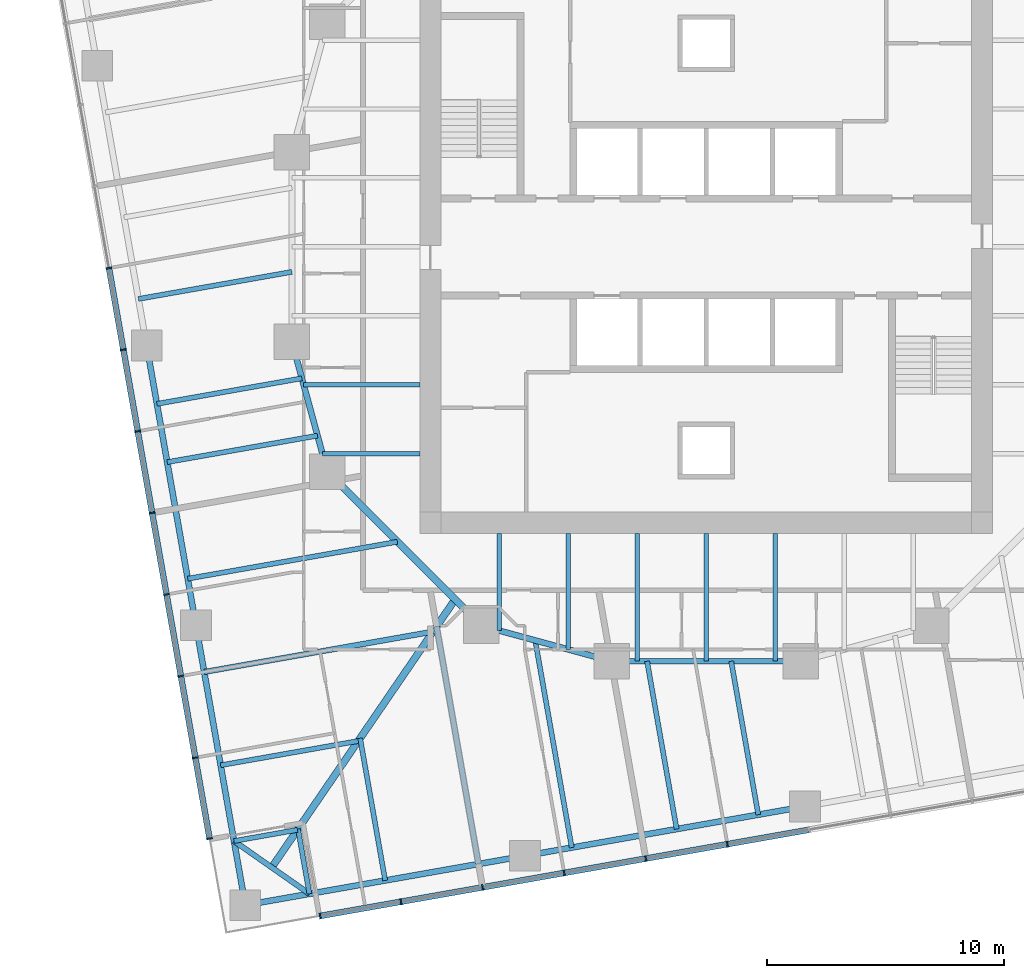
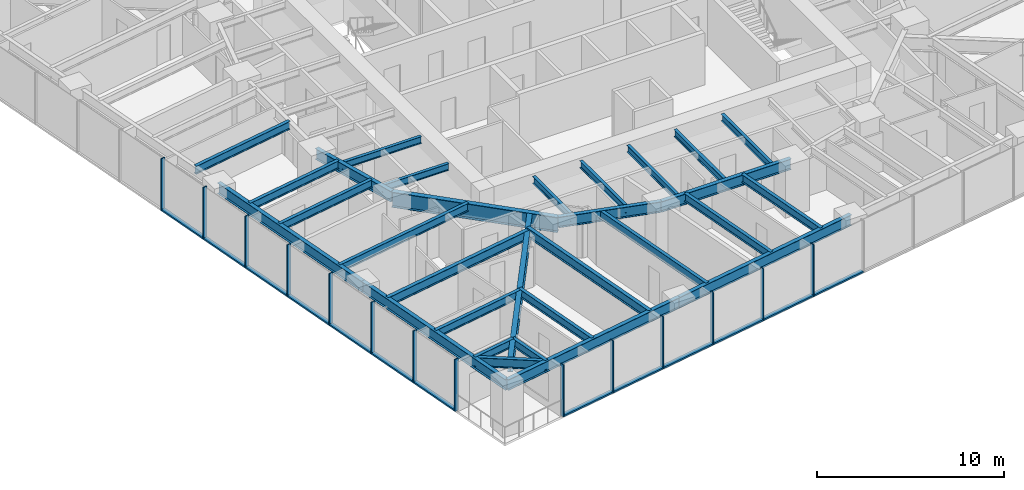
# One storey, part 2 of 14: 30 beams, 27 members, 2 elements without a shape of their own.
"""IFC4 building model written with IfcOpenShell, lengths in metres."""

from ifc_helpers import new_model, si_unit, direction, frame, origin, origin_2d, place, context, subcontext, project, spatial, rectangle, i_section, extrude, material, material_profile, profile_set, type_object, element, aggregate, save


model = new_model("IFC4")

# Units and contexts
model_context = context("Model", 3, precision=1e-05, world=origin(), true_north=direction((0.0, 1.0)))
body_context = subcontext(model_context, "Body", "Model", "MODEL_VIEW")
ifc_project = project(units=[si_unit("LENGTHUNIT", "METRE"), si_unit("AREAUNIT", "SQUARE_METRE"), si_unit("VOLUMEUNIT", "CUBIC_METRE"), si_unit("PLANEANGLEUNIT", "RADIAN"), si_unit("MASSUNIT", "GRAM", prefix="KILO")], contexts=[model_context])

# Site, building, storey
site_placement = place(None, origin())
site = spatial("IfcSite", under=ifc_project, at=site_placement, CompositionType="ELEMENT")
building_placement = place(site_placement, origin())
building = spatial("IfcBuilding", under=site, at=building_placement, Name="Torsade Residences", CompositionType="ELEMENT")
storey_placement = place(building_placement, frame((0.0, 0.0, 86.199951171875)))
storey = spatial("IfcBuildingStorey", under=building, at=storey_placement, Name="L23", CompositionType="ELEMENT", Elevation=86.199951171875)

# Beams
ifc_material_1 = material(Name="Steel grade 300", Category="steel")
ifc_material_profile_1 = material_profile(ifc_material_1, i_section(OverallWidth=0.300048828125, OverallDepth=0.89990234375, WebThickness=0.011962890625, FlangeThickness=0.02490234375, at=origin_2d()), Name="900WB175")
ifc_profile_set_1 = profile_set([ifc_material_profile_1], Name="Steel grade 300")
beam_type_1 = type_object("IfcBeamType", Name="CORNER GIRDER 900WB175", PredefinedType="BEAM", material=ifc_profile_set_1)
beam_1_placement = place(storey_placement, frame((21.6474609375, 3.7900390625, 2.800048828125), z_axis=(0.564724759437, 0.825279313977, 0.0), x_axis=(-0.825279313977, 0.564724759437, 0.0)))
element("IfcBeam", 1, at=beam_1_placement, inside=storey, type_object=beam_type_1, Name="Corner girder 01 L24", PredefinedType="BEAM", context=body_context, shape_type="SweptSolid", body=[
    extrude(i_section(OverallWidth=0.300048828125, OverallDepth=0.89990234375, WebThickness=0.011962890625, FlangeThickness=0.02490234375, at=origin_2d()), origin(), (0.0, 0.0, 1.0), 13.7138671875),
])
ifc_material_2 = material(Name="Steel grade 300", Category="steel")
ifc_material_profile_2 = material_profile(ifc_material_2, i_section(OverallWidth=0.22802734375, OverallDepth=0.60205078125, WebThickness=0.010498046875, FlangeThickness=0.014892578125, FilletRadius=0.013916015625, at=origin_2d()), Name="610UB101")
ifc_profile_set_2 = profile_set([ifc_material_profile_2], Name="Steel grade 300")
beam_type_2 = type_object("IfcBeamType", Name="CORNER TRIMMER 610UB101", PredefinedType="BEAM", material=ifc_profile_set_2)
beam_2_placement = place(storey_placement, frame((23.240478515625, 2.674560546875, 2.948974609375), z_axis=(-0.819152285145, 0.573576092373, 0.0), x_axis=(-0.573576092373, -0.819152285145, 0.0)))
element("IfcBeam", 2, at=beam_2_placement, inside=storey, type_object=beam_type_2, Name="Corner trimmer 01 L24", PredefinedType="BEAM", context=body_context, shape_type="SweptSolid", body=[
    extrude(i_section(OverallWidth=0.22802734375, OverallDepth=0.60205078125, WebThickness=0.010498046875, FlangeThickness=0.014892578125, FilletRadius=0.013916015625, at=origin_2d()), origin(), (0.0, 0.0, 1.0), 3.88916015625),
])

# Curtain wall, members
ifc_material_3 = material(Name="Aluminium and glass", Category="aluminium")
curtain_wall_type = type_object("IfcCurtainWallType", Name="FRITTED GLASS CURTAIN WALL LOW ZONE", PredefinedType="NOTDEFINED", material=ifc_material_3)
curtain_wall_1_placement = place(storey_placement, origin())
curtain_wall_1 = element("IfcCurtainWall", 3, at=curtain_wall_1_placement, inside=storey, type_object=curtain_wall_type, Name="Curtain wall L23 face 1", PredefinedType="NOTDEFINED")
ifc_material_4 = material(Name="Aluminium mullion", Category="aluminium")
ifc_material_profile_3 = material_profile(ifc_material_4, rectangle(XDim=0.25, YDim=0.06494140625, at=origin_2d()), Name="CURTAIN WALL MULLION 250x65")
ifc_profile_set_3 = profile_set([ifc_material_profile_3], Name="Aluminium mullion")
member_type_1 = type_object("IfcMemberType", Name="CURTAIN WALL MULLION 250x65", PredefinedType="MULLION", material=ifc_profile_set_3)
member_1_placement = place(storey_placement, frame((23.692138671875, 1.73876953125, 0.0), z_axis=(0.0, 0.0, 1.0), x_axis=(-0.173648192638, 0.984807750372, 0.0)))
member_1 = element("IfcMember", 4, at=member_1_placement, type_object=member_type_1, Name="Mullion 1", PredefinedType="MULLION", context=body_context, shape_type="SweptSolid", body=[
    extrude(rectangle(XDim=0.25, YDim=0.06494140625, at=origin_2d()), origin(), (0.0, 0.0, 1.0), 3.400146484375),
])
member_2_placement = place(storey_placement, frame((27.107177734375, 2.341064453125, 0.0), z_axis=(0.0, 0.0, 1.0), x_axis=(-0.173648192638, 0.984807750372, 0.0)))
member_2 = element("IfcMember", 5, at=member_2_placement, type_object=member_type_1, Name="Mullion 2", PredefinedType="MULLION", context=body_context, shape_type="SweptSolid", body=[
    extrude(rectangle(XDim=0.25, YDim=0.06494140625, at=origin_2d()), origin(), (0.0, 0.0, 1.0), 3.400146484375),
])
member_3_placement = place(storey_placement, frame((30.553955078125, 2.94873046875, 0.0), z_axis=(0.0, 0.0, 1.0), x_axis=(-0.173648192638, 0.984807750372, 0.0)))
member_3 = element("IfcMember", 6, at=member_3_placement, type_object=member_type_1, Name="Mullion 3", PredefinedType="MULLION", context=body_context, shape_type="SweptSolid", body=[
    extrude(rectangle(XDim=0.25, YDim=0.06494140625, at=origin_2d()), origin(), (0.0, 0.0, 1.0), 3.400146484375),
])
member_4_placement = place(storey_placement, frame((34.000732421875, 3.556396484375, 0.0), z_axis=(0.0, 0.0, 1.0), x_axis=(-0.173648192638, 0.984807750372, 0.0)))
member_4 = element("IfcMember", 7, at=member_4_placement, type_object=member_type_1, Name="Mullion 4", PredefinedType="MULLION", context=body_context, shape_type="SweptSolid", body=[
    extrude(rectangle(XDim=0.25, YDim=0.06494140625, at=origin_2d()), origin(), (0.0, 0.0, 1.0), 3.400146484375),
])
member_5_placement = place(storey_placement, frame((37.447509765625, 4.164306640625, 0.0), z_axis=(0.0, 0.0, 1.0), x_axis=(-0.173648192638, 0.984807750372, 0.0)))
member_5 = element("IfcMember", 8, at=member_5_placement, type_object=member_type_1, Name="Mullion 5", PredefinedType="MULLION", context=body_context, shape_type="SweptSolid", body=[
    extrude(rectangle(XDim=0.25, YDim=0.06494140625, at=origin_2d()), origin(), (0.0, 0.0, 1.0), 3.400146484375),
])
member_6_placement = place(storey_placement, frame((40.894287109375, 4.77197265625, 0.0), z_axis=(0.0, 0.0, 1.0), x_axis=(-0.173648192638, 0.984807750372, 0.0)))
member_6 = element("IfcMember", 9, at=member_6_placement, type_object=member_type_1, Name="Mullion 6", PredefinedType="MULLION", context=body_context, shape_type="SweptSolid", body=[
    extrude(rectangle(XDim=0.25, YDim=0.06494140625, at=origin_2d()), origin(), (0.0, 0.0, 1.0), 3.400146484375),
])

curtain_wall_2_placement = place(storey_placement, origin())
curtain_wall_2 = element("IfcCurtainWall", 10, at=curtain_wall_2_placement, inside=storey, type_object=curtain_wall_type, Name="Curtain wall L23 face 10", PredefinedType="NOTDEFINED")
member_7_placement = place(storey_placement, frame((14.77197265625, 29.105712890625, 0.0), z_axis=(0.0, 0.0, 1.0), x_axis=(0.984807750372, 0.173648192638, 0.0)))
member_7 = element("IfcMember", 11, at=member_7_placement, type_object=member_type_1, Name="Mullion 6", PredefinedType="MULLION", context=body_context, shape_type="SweptSolid", body=[
    extrude(rectangle(XDim=0.25, YDim=0.06494140625, at=origin_2d()), origin(), (0.0, 0.0, 1.0), 3.400146484375),
])
member_8_placement = place(storey_placement, frame((15.3798828125, 25.65869140625, 0.0), z_axis=(0.0, 0.0, 1.0), x_axis=(0.984807750372, 0.173648192638, 0.0)))
member_8 = element("IfcMember", 12, at=member_8_placement, type_object=member_type_1, Name="Mullion 7", PredefinedType="MULLION", context=body_context, shape_type="SweptSolid", body=[
    extrude(rectangle(XDim=0.25, YDim=0.06494140625, at=origin_2d()), origin(), (0.0, 0.0, 1.0), 3.400146484375),
])
member_9_placement = place(storey_placement, frame((15.987548828125, 22.2119140625, 0.0), z_axis=(0.0, 0.0, 1.0), x_axis=(0.984807750372, 0.173648192638, 0.0)))
member_9 = element("IfcMember", 13, at=member_9_placement, type_object=member_type_1, Name="Mullion 8", PredefinedType="MULLION", context=body_context, shape_type="SweptSolid", body=[
    extrude(rectangle(XDim=0.25, YDim=0.06494140625, at=origin_2d()), origin(), (0.0, 0.0, 1.0), 3.400146484375),
])
member_10_placement = place(storey_placement, frame((16.595458984375, 18.76513671875, 0.0), z_axis=(0.0, 0.0, 1.0), x_axis=(0.984807750372, 0.173648192638, 0.0)))
member_10 = element("IfcMember", 14, at=member_10_placement, type_object=member_type_1, Name="Mullion 9", PredefinedType="MULLION", context=body_context, shape_type="SweptSolid", body=[
    extrude(rectangle(XDim=0.25, YDim=0.06494140625, at=origin_2d()), origin(), (0.0, 0.0, 1.0), 3.400146484375),
])
member_11_placement = place(storey_placement, frame((17.203125, 15.318359375, 0.0), z_axis=(0.0, 0.0, 1.0), x_axis=(0.984807750372, 0.173648192638, 0.0)))
member_11 = element("IfcMember", 15, at=member_11_placement, type_object=member_type_1, Name="Mullion 10", PredefinedType="MULLION", context=body_context, shape_type="SweptSolid", body=[
    extrude(rectangle(XDim=0.25, YDim=0.06494140625, at=origin_2d()), origin(), (0.0, 0.0, 1.0), 3.400146484375),
])
member_12_placement = place(storey_placement, frame((17.810791015625, 11.87158203125, 0.0), z_axis=(0.0, 0.0, 1.0), x_axis=(0.984807750372, 0.173648192638, 0.0)))
member_12 = element("IfcMember", 16, at=member_12_placement, type_object=member_type_1, Name="Mullion 11", PredefinedType="MULLION", context=body_context, shape_type="SweptSolid", body=[
    extrude(rectangle(XDim=0.25, YDim=0.06494140625, at=origin_2d()), origin(), (0.0, 0.0, 1.0), 3.400146484375),
])
member_13_placement = place(storey_placement, frame((18.418701171875, 8.424560546875, 0.0), z_axis=(0.0, 0.0, 1.0), x_axis=(0.984807750372, 0.173648192638, 0.0)))
member_13 = element("IfcMember", 17, at=member_13_placement, type_object=member_type_1, Name="Mullion 12", PredefinedType="MULLION", context=body_context, shape_type="SweptSolid", body=[
    extrude(rectangle(XDim=0.25, YDim=0.06494140625, at=origin_2d()), origin(), (0.0, 0.0, 1.0), 3.400146484375),
])
member_14_placement = place(storey_placement, frame((19.020751953125, 5.009765625, 0.0), z_axis=(0.0, 0.0, 1.0), x_axis=(0.984807750372, 0.173648192638, 0.0)))
member_14 = element("IfcMember", 18, at=member_14_placement, type_object=member_type_1, Name="Mullion 13", PredefinedType="MULLION", context=body_context, shape_type="SweptSolid", body=[
    extrude(rectangle(XDim=0.25, YDim=0.06494140625, at=origin_2d()), origin(), (0.0, 0.0, 1.0), 3.400146484375),
])

# Member
ifc_material_5 = material(Name="Aluminium transom", Category="aluminium")
ifc_material_profile_4 = material_profile(ifc_material_5, rectangle(XDim=0.25, YDim=0.10009765625, at=origin_2d()), Name="CURTAIN WALL TRANSOM 250x100")
ifc_profile_set_4 = profile_set([ifc_material_profile_4], Name="Aluminium transom")
member_type_2 = type_object("IfcMemberType", Name="CURTAIN WALL TRANSOM 250x100", PredefinedType="USERDEFINED", material=ifc_profile_set_4)
member_15_placement = place(storey_placement, frame((23.724365234375, 1.744384765625, 0.050048828125), z_axis=(0.984806666774, 0.173654337918, 0.0), x_axis=(-0.173654337918, 0.984806666774, 0.0)))
member_15 = element("IfcMember", 19, at=member_15_placement, type_object=member_type_2, Name="Transom 1.1", ObjectType="TRANSOM", PredefinedType="USERDEFINED", context=body_context, shape_type="SweptSolid", body=[
    extrude(rectangle(XDim=0.25, YDim=0.10009765625, at=origin_2d()), origin(), (0.0, 0.0, 1.0), 3.40234375),
])

member_16_placement = place(storey_placement, frame((27.13916015625, 2.3466796875, 0.050048828125), z_axis=(0.984810021497, 0.17363531196, 0.0), x_axis=(-0.17363531196, 0.984810021497, 0.0)))
member_16 = element("IfcMember", 20, at=member_16_placement, type_object=member_type_2, Name="Transom 2.1", ObjectType="TRANSOM", PredefinedType="USERDEFINED", context=body_context, shape_type="SweptSolid", body=[
    extrude(rectangle(XDim=0.25, YDim=0.10009765625, at=origin_2d()), origin(), (0.0, 0.0, 1.0), 3.43505859375),
])

member_17_placement = place(storey_placement, frame((30.5859375, 2.954345703125, 0.050048828125), z_axis=(0.984810021497, 0.17363531196, 0.0), x_axis=(-0.17363531196, 0.984810021497, 0.0)))
member_17 = element("IfcMember", 21, at=member_17_placement, type_object=member_type_2, Name="Transom 3.1", ObjectType="TRANSOM", PredefinedType="USERDEFINED", context=body_context, shape_type="SweptSolid", body=[
    extrude(rectangle(XDim=0.25, YDim=0.10009765625, at=origin_2d()), origin(), (0.0, 0.0, 1.0), 3.43505859375),
])

member_18_placement = place(storey_placement, frame((34.03271484375, 3.562255859375, 0.050048828125), z_axis=(0.984810021497, 0.17363531196, 0.0), x_axis=(-0.17363531196, 0.984810021497, 0.0)))
member_18 = element("IfcMember", 22, at=member_18_placement, type_object=member_type_2, Name="Transom 4.1", ObjectType="TRANSOM", PredefinedType="USERDEFINED", context=body_context, shape_type="SweptSolid", body=[
    extrude(rectangle(XDim=0.25, YDim=0.10009765625, at=origin_2d()), origin(), (0.0, 0.0, 1.0), 3.43505859375),
])

member_19_placement = place(storey_placement, frame((37.4794921875, 4.169921875, 0.050048828125), z_axis=(0.984810021497, 0.17363531196, 0.0), x_axis=(-0.17363531196, 0.984810021497, 0.0)))
member_19 = element("IfcMember", 23, at=member_19_placement, type_object=member_type_2, Name="Transom 5.1", ObjectType="TRANSOM", PredefinedType="USERDEFINED", context=body_context, shape_type="SweptSolid", body=[
    extrude(rectangle(XDim=0.25, YDim=0.10009765625, at=origin_2d()), origin(), (0.0, 0.0, 1.0), 3.43505859375),
])

member_20_placement = place(storey_placement, frame((40.92626953125, 4.777587890625, 0.050048828125), z_axis=(0.98479786563, 0.173704242465, 0.0), x_axis=(-0.173704242465, 0.98479786563, 0.0)))
member_20 = element("IfcMember", 24, at=member_20_placement, type_object=member_type_2, Name="Transom 6.1", ObjectType="TRANSOM", PredefinedType="USERDEFINED", context=body_context, shape_type="SweptSolid", body=[
    extrude(rectangle(XDim=0.25, YDim=0.10009765625, at=origin_2d()), origin(), (0.0, 0.0, 1.0), 3.43505859375),
])

aggregate(curtain_wall_1, [member_1, member_2, member_3, member_4, member_5, member_6, member_15, member_16, member_17, member_18, member_19, member_20])

member_21_placement = place(storey_placement, frame((14.777587890625, 29.07373046875, 0.050048828125), z_axis=(0.173704242465, -0.98479786563, 0.0), x_axis=(0.98479786563, 0.173704242465, 0.0)))
member_21 = element("IfcMember", 25, at=member_21_placement, type_object=member_type_2, Name="Transom 6.1", ObjectType="TRANSOM", PredefinedType="USERDEFINED", context=body_context, shape_type="SweptSolid", body=[
    extrude(rectangle(XDim=0.25, YDim=0.10009765625, at=origin_2d()), origin(), (0.0, 0.0, 1.0), 3.43505859375),
])

member_22_placement = place(storey_placement, frame((15.385498046875, 25.626708984375, 0.050048828125), z_axis=(0.17363531196, -0.984810021497, 0.0), x_axis=(0.984810021497, 0.17363531196, 0.0)))
member_22 = element("IfcMember", 26, at=member_22_placement, type_object=member_type_2, Name="Transom 7.1", ObjectType="TRANSOM", PredefinedType="USERDEFINED", context=body_context, shape_type="SweptSolid", body=[
    extrude(rectangle(XDim=0.25, YDim=0.10009765625, at=origin_2d()), origin(), (0.0, 0.0, 1.0), 3.43505859375),
])

member_23_placement = place(storey_placement, frame((15.9931640625, 22.179931640625, 0.050048828125), z_axis=(0.17363531196, -0.984810021497, 0.0), x_axis=(0.984810021497, 0.17363531196, 0.0)))
member_23 = element("IfcMember", 27, at=member_23_placement, type_object=member_type_2, Name="Transom 8.1", ObjectType="TRANSOM", PredefinedType="USERDEFINED", context=body_context, shape_type="SweptSolid", body=[
    extrude(rectangle(XDim=0.25, YDim=0.10009765625, at=origin_2d()), origin(), (0.0, 0.0, 1.0), 3.43505859375),
])

member_24_placement = place(storey_placement, frame((16.60107421875, 18.733154296875, 0.050048828125), z_axis=(0.17363531196, -0.984810021497, 0.0), x_axis=(0.984810021497, 0.17363531196, 0.0)))
member_24 = element("IfcMember", 28, at=member_24_placement, type_object=member_type_2, Name="Transom 9.1", ObjectType="TRANSOM", PredefinedType="USERDEFINED", context=body_context, shape_type="SweptSolid", body=[
    extrude(rectangle(XDim=0.25, YDim=0.10009765625, at=origin_2d()), origin(), (0.0, 0.0, 1.0), 3.43505859375),
])

member_25_placement = place(storey_placement, frame((17.208740234375, 15.286376953125, 0.050048828125), z_axis=(0.17363531196, -0.984810021497, 0.0), x_axis=(0.984810021497, 0.17363531196, 0.0)))
member_25 = element("IfcMember", 29, at=member_25_placement, type_object=member_type_2, Name="Transom 10.1", ObjectType="TRANSOM", PredefinedType="USERDEFINED", context=body_context, shape_type="SweptSolid", body=[
    extrude(rectangle(XDim=0.25, YDim=0.10009765625, at=origin_2d()), origin(), (0.0, 0.0, 1.0), 3.43505859375),
])

member_26_placement = place(storey_placement, frame((17.81640625, 11.839599609375, 0.050048828125), z_axis=(0.173704242465, -0.98479786563, 0.0), x_axis=(0.98479786563, 0.173704242465, 0.0)))
member_26 = element("IfcMember", 30, at=member_26_placement, type_object=member_type_2, Name="Transom 11.1", ObjectType="TRANSOM", PredefinedType="USERDEFINED", context=body_context, shape_type="SweptSolid", body=[
    extrude(rectangle(XDim=0.25, YDim=0.10009765625, at=origin_2d()), origin(), (0.0, 0.0, 1.0), 3.43505859375),
])

member_27_placement = place(storey_placement, frame((18.42431640625, 8.392578125, 0.050048828125), z_axis=(0.173642067011, -0.984808830466, 0.0), x_axis=(0.984808830466, 0.173642067011, 0.0)))
member_27 = element("IfcMember", 31, at=member_27_placement, type_object=member_type_2, Name="Transom 12.1", ObjectType="TRANSOM", PredefinedType="USERDEFINED", context=body_context, shape_type="SweptSolid", body=[
    extrude(rectangle(XDim=0.25, YDim=0.10009765625, at=origin_2d()), origin(), (0.0, 0.0, 1.0), 3.402587890625),
])

aggregate(curtain_wall_2, [member_7, member_8, member_9, member_10, member_11, member_12, member_13, member_14, member_21, member_22, member_23, member_24, member_25, member_26, member_27])

# Beams
ifc_material_6 = material(Name="Steel grade 300", Category="steel")
ifc_material_profile_5 = material_profile(ifc_material_6, i_section(OverallWidth=0.25, OverallDepth=0.699951171875, WebThickness=0.010009765625, FlangeThickness=0.02001953125, at=origin_2d()), Name="700WB130")
ifc_profile_set_5 = profile_set([ifc_material_profile_5], Name="Steel grade 300")
beam_type_3 = type_object("IfcBeamType", Name="EDGE BEAM 700WB130", PredefinedType="SPANDREL", material=ifc_profile_set_5)
for number, where, z_axis, x_axis, name in (
    (32, (20.5322265625, 2.197021484375, 2.900146484375), (0.984808127031, 0.173646056486, 0.0), (-0.173646056486, 0.984808127031, 0.0), "Edge beam 01 L24"),
    (33, (32.349853515625, 4.28076171875, 2.900146484375), (0.984808127031, 0.173646056486, 0.0), (-0.173646056486, 0.984808127031, 0.0), "Edge beam 02 L24"),
):
    element("IfcBeam", number, at=place(storey_placement, frame(where, z_axis=z_axis, x_axis=x_axis)), inside=storey, type_object=beam_type_3, Name=name, PredefinedType="SPANDREL", context=body_context, shape_type="SweptSolid", body=[
        extrude(i_section(OverallWidth=0.25, OverallDepth=0.699951171875, WebThickness=0.010009765625, FlangeThickness=0.02001953125, at=origin_2d()), origin(), (0.0, 0.0, 1.0), 12.0),
    ])
beam_3_placement = place(storey_placement, frame((16.364501953125, 25.83251953125, 2.900146484375), z_axis=(0.173662308598, -0.984805261243, 0.0), x_axis=(0.984805261243, 0.173662308598, 0.0)))
element("IfcBeam", 34, at=beam_3_placement, inside=storey, type_object=beam_type_3, Name="Edge beam 15 L24", PredefinedType="SPANDREL", context=body_context, shape_type="SweptSolid", body=[
    extrude(i_section(OverallWidth=0.25, OverallDepth=0.699951171875, WebThickness=0.010009765625, FlangeThickness=0.02001953125, at=origin_2d()), origin(), (0.0, 0.0, 1.0), 12.000244140625),
])
beam_4_placement = place(storey_placement, frame((18.448486328125, 14.0146484375, 2.900146484375), z_axis=(0.173646056486, -0.984808127031, 0.0), x_axis=(0.984808127031, 0.173646056486, 0.0)))
element("IfcBeam", 35, at=beam_4_placement, inside=storey, type_object=beam_type_3, Name="Edge beam 16 L24", PredefinedType="SPANDREL", context=body_context, shape_type="SweptSolid", body=[
    extrude(i_section(OverallWidth=0.25, OverallDepth=0.699951171875, WebThickness=0.010009765625, FlangeThickness=0.02001953125, at=origin_2d()), origin(), (0.0, 0.0, 1.0), 12.0),
])
ifc_material_7 = material(Name="Steel grade 300", Category="steel")
ifc_material_profile_6 = material_profile(ifc_material_7, i_section(OverallWidth=0.18994140625, OverallDepth=0.4541015625, WebThickness=0.008544921875, FlangeThickness=0.0126953125, FilletRadius=0.011474609375, at=origin_2d()), Name="460UB67.1")
ifc_profile_set_6 = profile_set([ifc_material_profile_6], Name="Steel grade 300")
beam_type_4 = type_object("IfcBeamType", Name="INNER FLOOR BEAM 460UB67.1", PredefinedType="JOIST", material=ifc_profile_set_6)
for number, where, z_axis, x_axis, name in (
    (36, (42.91259765625, 17.89990234375, 3.02294921875), (0.0, -1.0, 0.0), (1.0, 0.0, 0.0), "Inner floor beam IS03 L24"),
    (37, (40.0, 17.89990234375, 3.02294921875), (0.0, -1.0, 0.0), (1.0, 0.0, 0.0), "Inner floor beam IS04 L24"),
    (38, (37.08740234375, 17.89990234375, 3.02294921875), (0.0, -1.0, 0.0), (1.0, 0.0, 0.0), "Inner floor beam IS05 L24"),
):
    element("IfcBeam", number, at=place(storey_placement, frame(where, z_axis=z_axis, x_axis=x_axis)), inside=storey, type_object=beam_type_4, Name=name, PredefinedType="JOIST", context=body_context, shape_type="SweptSolid", body=[
        extrude(i_section(OverallWidth=0.18994140625, OverallDepth=0.4541015625, WebThickness=0.008544921875, FlangeThickness=0.0126953125, FilletRadius=0.011474609375, at=origin_2d()), origin(), (0.0, 0.0, 1.0), 5.39990234375),
    ])
beam_5_placement = place(storey_placement, frame((34.175048828125, 17.89990234375, 3.02294921875), z_axis=(0.0, -1.0, 0.0), x_axis=(1.0, 0.0, 0.0)))
element("IfcBeam", 39, at=beam_5_placement, inside=storey, type_object=beam_type_4, Name="Inner floor beam IS06 L24", PredefinedType="JOIST", context=body_context, shape_type="SweptSolid", body=[
    extrude(i_section(OverallWidth=0.18994140625, OverallDepth=0.4541015625, WebThickness=0.008544921875, FlangeThickness=0.0126953125, FilletRadius=0.011474609375, at=origin_2d()), origin(), (0.0, 0.0, 1.0), 4.902099609375),
])
beam_6_placement = place(storey_placement, frame((31.262451171875, 17.89990234375, 3.02294921875), z_axis=(0.0, -1.0, 0.0), x_axis=(1.0, 0.0, 0.0)))
element("IfcBeam", 40, at=beam_6_placement, inside=storey, type_object=beam_type_4, Name="Inner floor beam IS07 L24", PredefinedType="JOIST", context=body_context, shape_type="SweptSolid", body=[
    extrude(i_section(OverallWidth=0.18994140625, OverallDepth=0.4541015625, WebThickness=0.008544921875, FlangeThickness=0.0126953125, FilletRadius=0.011474609375, at=origin_2d()), origin(), (0.0, 0.0, 1.0), 4.10791015625),
])
beam_7_placement = place(storey_placement, frame((27.89990234375, 24.175048828125, 3.02294921875), z_axis=(-1.0, 0.0, 0.0), x_axis=(0.0, -1.0, 0.0)))
element("IfcBeam", 41, at=beam_7_placement, inside=storey, type_object=beam_type_4, Name="Inner floor beam IW06 L24", PredefinedType="JOIST", context=body_context, shape_type="SweptSolid", body=[
    extrude(i_section(OverallWidth=0.18994140625, OverallDepth=0.4541015625, WebThickness=0.008544921875, FlangeThickness=0.0126953125, FilletRadius=0.011474609375, at=origin_2d()), origin(), (0.0, 0.0, 1.0), 4.902099609375),
])
beam_8_placement = place(storey_placement, frame((27.89990234375, 21.262451171875, 3.02294921875), z_axis=(-1.0, 0.0, 0.0), x_axis=(0.0, -1.0, 0.0)))
element("IfcBeam", 42, at=beam_8_placement, inside=storey, type_object=beam_type_4, Name="Inner floor beam IW07 L24", PredefinedType="JOIST", context=body_context, shape_type="SweptSolid", body=[
    extrude(i_section(OverallWidth=0.18994140625, OverallDepth=0.4541015625, WebThickness=0.008544921875, FlangeThickness=0.0126953125, FilletRadius=0.011474609375, at=origin_2d()), origin(), (0.0, 0.0, 1.0), 4.10791015625),
])
ifc_material_8 = material(Name="Steel grade 300", Category="steel")
ifc_material_profile_7 = material_profile(ifc_material_8, i_section(OverallWidth=0.300048828125, OverallDepth=1.0, WebThickness=0.01611328125, FlangeThickness=0.028076171875, at=origin_2d()), Name="1000WB215")
ifc_profile_set_7 = profile_set([ifc_material_profile_7], Name="Steel grade 300")
beam_type_5 = type_object("IfcBeamType", Name="RING CORNER GIRDER 1000WB215", PredefinedType="BEAM", material=ifc_profile_set_7)
beam_9_placement = place(storey_placement, frame((24.0, 20.5, 2.75), z_axis=(0.707106781187, -0.707106781187, 0.0), x_axis=(0.707106781187, 0.707106781187, 0.0)))
element("IfcBeam", 43, at=beam_9_placement, inside=storey, type_object=beam_type_5, Name="Ring girder IR11 L24", PredefinedType="BEAM", context=body_context, shape_type="SweptSolid", body=[
    extrude(i_section(OverallWidth=0.300048828125, OverallDepth=1.0, WebThickness=0.01611328125, FlangeThickness=0.028076171875, at=origin_2d()), origin(), (0.0, 0.0, 1.0), 9.1923828125),
])
ifc_material_9 = material(Name="Steel grade 300", Category="steel")
ifc_material_profile_8 = material_profile(ifc_material_9, i_section(OverallWidth=0.25, OverallDepth=0.699951171875, WebThickness=0.010009765625, FlangeThickness=0.02001953125, at=origin_2d()), Name="700WB130")
ifc_profile_set_8 = profile_set([ifc_material_profile_8], Name="Steel grade 300")
beam_type_6 = type_object("IfcBeamType", Name="RING GIRDER 700WB130", PredefinedType="BEAM", material=ifc_profile_set_8)
for number, where, z_axis, x_axis, name in (
    (44, (22.5, 26.0, 2.900146484375), (0.263117405792, -0.964763821238, 0.0), (0.964763821238, 0.263117405792, 0.0), "Ring girder IR10 L24"),
    (45, (30.5, 14.0, 2.900146484375), (0.964763821238, -0.263117405792, 0.0), (0.263117405792, 0.964763821238, 0.0), "Ring girder IR12 L24"),
):
    element("IfcBeam", number, at=place(storey_placement, frame(where, z_axis=z_axis, x_axis=x_axis)), inside=storey, type_object=beam_type_6, Name=name, PredefinedType="BEAM", context=body_context, shape_type="SweptSolid", body=[
        extrude(i_section(OverallWidth=0.25, OverallDepth=0.699951171875, WebThickness=0.010009765625, FlangeThickness=0.02001953125, at=origin_2d()), origin(), (0.0, 0.0, 1.0), 5.700927734375),
    ])
beam_10_placement = place(storey_placement, frame((36.0, 12.5, 2.900146484375), z_axis=(1.0, 0.0, 0.0), x_axis=(0.0, 1.0, 0.0)))
element("IfcBeam", 46, at=beam_10_placement, inside=storey, type_object=beam_type_6, Name="Ring girder IR13 L24", PredefinedType="BEAM", context=body_context, shape_type="SweptSolid", body=[
    extrude(i_section(OverallWidth=0.25, OverallDepth=0.699951171875, WebThickness=0.010009765625, FlangeThickness=0.02001953125, at=origin_2d()), origin(), (0.0, 0.0, 1.0), 8.0),
])
ifc_material_10 = material(Name="Steel grade 300", Category="steel")
ifc_material_profile_9 = material_profile(ifc_material_10, i_section(OverallWidth=0.208984375, OverallDepth=0.528076171875, WebThickness=0.009521484375, FlangeThickness=0.01318359375, FilletRadius=0.013916015625, at=origin_2d()), Name="530UB82.0")
ifc_profile_set_9 = profile_set([ifc_material_profile_9], Name="Steel grade 300")
beam_type_7 = type_object("IfcBeamType", Name="SECONDARY BEAM 530UB82.0", PredefinedType="JOIST", material=ifc_profile_set_9)
beam_11_placement = place(storey_placement, frame((23.240478515625, 2.674560546875, 2.986083984375), z_axis=(-0.173705176765, 0.984797700832, 0.0), x_axis=(-0.984797700832, -0.173705176765, 0.0)))
element("IfcBeam", 47, at=beam_11_placement, inside=storey, type_object=beam_type_7, Name="Floor beam FS01 L24", PredefinedType="JOIST", context=body_context, shape_type="SweptSolid", body=[
    extrude(i_section(OverallWidth=0.208984375, OverallDepth=0.528076171875, WebThickness=0.009521484375, FlangeThickness=0.01318359375, FilletRadius=0.013916015625, at=origin_2d()), origin(), (0.0, 0.0, 1.0), 2.780029296875),
])
beam_12_placement = place(storey_placement, frame((26.44091796875, 3.239013671875, 2.986083984375), z_axis=(-0.173639225065, 0.984809331556, 0.0), x_axis=(-0.984809331556, -0.173639225065, 0.0)))
element("IfcBeam", 48, at=beam_12_placement, inside=storey, type_object=beam_type_7, Name="Floor beam FS02 L24", PredefinedType="JOIST", context=body_context, shape_type="SweptSolid", body=[
    extrude(i_section(OverallWidth=0.208984375, OverallDepth=0.528076171875, WebThickness=0.009521484375, FlangeThickness=0.01318359375, FilletRadius=0.013916015625, at=origin_2d()), origin(), (0.0, 0.0, 1.0), 6.100830078125),
])
beam_13_placement = place(storey_placement, frame((34.319580078125, 4.628173828125, 2.986083984375), z_axis=(-0.173667781384, 0.984804296147, 0.0), x_axis=(-0.984804296147, -0.173667781384, 0.0)))
element("IfcBeam", 49, at=beam_13_placement, inside=storey, type_object=beam_type_7, Name="Floor beam FS04 L24", PredefinedType="JOIST", context=body_context, shape_type="SweptSolid", body=[
    extrude(i_section(OverallWidth=0.208984375, OverallDepth=0.528076171875, WebThickness=0.009521484375, FlangeThickness=0.01318359375, FilletRadius=0.013916015625, at=origin_2d()), origin(), (0.0, 0.0, 1.0), 8.885986328125),
])
beam_14_placement = place(storey_placement, frame((38.751220703125, 5.40966796875, 2.986083984375), z_axis=(-0.173651855324, 0.984807104535, 0.0), x_axis=(-0.984807104535, -0.173651855324, 0.0)))
element("IfcBeam", 50, at=beam_14_placement, inside=storey, type_object=beam_type_7, Name="Floor beam FS05 L24", PredefinedType="JOIST", context=body_context, shape_type="SweptSolid", body=[
    extrude(i_section(OverallWidth=0.208984375, OverallDepth=0.528076171875, WebThickness=0.009521484375, FlangeThickness=0.01318359375, FilletRadius=0.013916015625, at=origin_2d()), origin(), (0.0, 0.0, 1.0), 7.19970703125),
])
for number, where, z_axis, x_axis, name in (
    (51, (42.197998046875, 6.017333984375, 2.986083984375), (-0.173647806501, 0.984807818459, 0.0), (-0.984807818459, -0.173647806501, 0.0), "Floor beam FS06 L24"),
    (52, (16.017333984375, 27.802001953125, 2.986083984375), (0.984807818459, 0.173647806501, 0.0), (-0.173647806501, 0.984807818459, 0.0), "Floor beam FW06 L24"),
):
    element("IfcBeam", number, at=place(storey_placement, frame(where, z_axis=z_axis, x_axis=x_axis)), inside=storey, type_object=beam_type_7, Name=name, PredefinedType="JOIST", context=body_context, shape_type="SweptSolid", body=[
        extrude(i_section(OverallWidth=0.208984375, OverallDepth=0.528076171875, WebThickness=0.009521484375, FlangeThickness=0.01318359375, FilletRadius=0.013916015625, at=origin_2d()), origin(), (0.0, 0.0, 1.0), 6.582763671875),
    ])
beam_15_placement = place(storey_placement, frame((16.798828125, 23.370361328125, 2.986083984375), z_axis=(0.984806474989, 0.173655425542, 0.0), x_axis=(-0.173655425542, 0.984806474989, 0.0)))
element("IfcBeam", 53, at=beam_15_placement, inside=storey, type_object=beam_type_7, Name="Floor beam FW07 L24", PredefinedType="JOIST", context=body_context, shape_type="SweptSolid", body=[
    extrude(i_section(OverallWidth=0.208984375, OverallDepth=0.528076171875, WebThickness=0.009521484375, FlangeThickness=0.01318359375, FilletRadius=0.013916015625, at=origin_2d()), origin(), (0.0, 0.0, 1.0), 6.21826171875),
])
beam_16_placement = place(storey_placement, frame((17.23291015625, 20.908447265625, 2.986083984375), z_axis=(0.984810608823, 0.17363198078, 0.0), x_axis=(-0.17363198078, 0.984810608823, 0.0)))
element("IfcBeam", 54, at=beam_16_placement, inside=storey, type_object=beam_type_7, Name="Floor beam FW08 L24", PredefinedType="JOIST", context=body_context, shape_type="SweptSolid", body=[
    extrude(i_section(OverallWidth=0.208984375, OverallDepth=0.528076171875, WebThickness=0.009521484375, FlangeThickness=0.01318359375, FilletRadius=0.013916015625, at=origin_2d()), origin(), (0.0, 0.0, 1.0), 6.4482421875),
])
beam_17_placement = place(storey_placement, frame((18.10107421875, 15.984375, 2.986083984375), z_axis=(0.984809246638, 0.173639706679, 0.0), x_axis=(-0.173639706679, 0.984809246638, 0.0)))
element("IfcBeam", 55, at=beam_17_placement, inside=storey, type_object=beam_type_7, Name="Floor beam FW09 L24", PredefinedType="JOIST", context=body_context, shape_type="SweptSolid", body=[
    extrude(i_section(OverallWidth=0.208984375, OverallDepth=0.528076171875, WebThickness=0.009521484375, FlangeThickness=0.01318359375, FilletRadius=0.013916015625, at=origin_2d()), origin(), (0.0, 0.0, 1.0), 8.989990234375),
])
beam_18_placement = place(storey_placement, frame((19.490234375, 8.10595703125, 2.986083984375), z_axis=(0.984811033899, 0.173629569808, 0.0), x_axis=(-0.173629569808, 0.984811033899, 0.0)))
element("IfcBeam", 56, at=beam_18_placement, inside=storey, type_object=beam_type_7, Name="Floor beam FW11 L24", PredefinedType="JOIST", context=body_context, shape_type="SweptSolid", body=[
    extrude(i_section(OverallWidth=0.208984375, OverallDepth=0.528076171875, WebThickness=0.009521484375, FlangeThickness=0.01318359375, FilletRadius=0.013916015625, at=origin_2d()), origin(), (0.0, 0.0, 1.0), 5.9013671875),
])
beam_19_placement = place(storey_placement, frame((20.0546875, 4.9052734375, 2.986083984375), z_axis=(0.984807941563, 0.17364710834, 0.0), x_axis=(-0.17364710834, 0.984807941563, 0.0)))
element("IfcBeam", 57, at=beam_19_placement, inside=storey, type_object=beam_type_7, Name="Floor beam FW12 L24", PredefinedType="JOIST", context=body_context, shape_type="SweptSolid", body=[
    extrude(i_section(OverallWidth=0.208984375, OverallDepth=0.528076171875, WebThickness=0.009521484375, FlangeThickness=0.01318359375, FilletRadius=0.013916015625, at=origin_2d()), origin(), (0.0, 0.0, 1.0), 2.720458984375),
])
ifc_material_11 = material(Name="Steel grade 300", Category="steel")
ifc_material_profile_10 = material_profile(ifc_material_11, i_section(OverallWidth=0.22900390625, OverallDepth=0.612060546875, WebThickness=0.011962890625, FlangeThickness=0.01953125, FilletRadius=0.013916015625, at=origin_2d()), Name="610UB125")
ifc_profile_set_10 = profile_set([ifc_material_profile_10], Name="Steel grade 300")
beam_type_8 = type_object("IfcBeamType", Name="SECONDARY BEAM 610UB125", PredefinedType="JOIST", material=ifc_profile_set_10)
beam_20_placement = place(storey_placement, frame((30.380126953125, 3.93359375, 2.944091796875), z_axis=(-0.173644522411, 0.984808397525, 0.0), x_axis=(-0.984808397525, -0.173644522411, 0.0)))
element("IfcBeam", 58, at=beam_20_placement, inside=storey, type_object=beam_type_8, Name="Floor beam FS03 L24", PredefinedType="JOIST", context=body_context, shape_type="SweptSolid", body=[
    extrude(i_section(OverallWidth=0.22900390625, OverallDepth=0.612060546875, WebThickness=0.011962890625, FlangeThickness=0.01953125, FilletRadius=0.013916015625, at=origin_2d()), origin(), (0.0, 0.0, 1.0), 10.187744140625),
])
beam_21_placement = place(storey_placement, frame((18.795654296875, 12.045166015625, 2.944091796875), z_axis=(0.984807085789, 0.173651961637, 0.0), x_axis=(-0.173651961637, 0.984807085789, 0.0)))
element("IfcBeam", 59, at=beam_21_placement, inside=storey, type_object=beam_type_8, Name="Floor beam FW10 L24", PredefinedType="JOIST", context=body_context, shape_type="SweptSolid", body=[
    extrude(i_section(OverallWidth=0.22900390625, OverallDepth=0.612060546875, WebThickness=0.011962890625, FlangeThickness=0.01953125, FilletRadius=0.013916015625, at=origin_2d()), origin(), (0.0, 0.0, 1.0), 9.816162109375),
])

save(model, "model.ifc")
